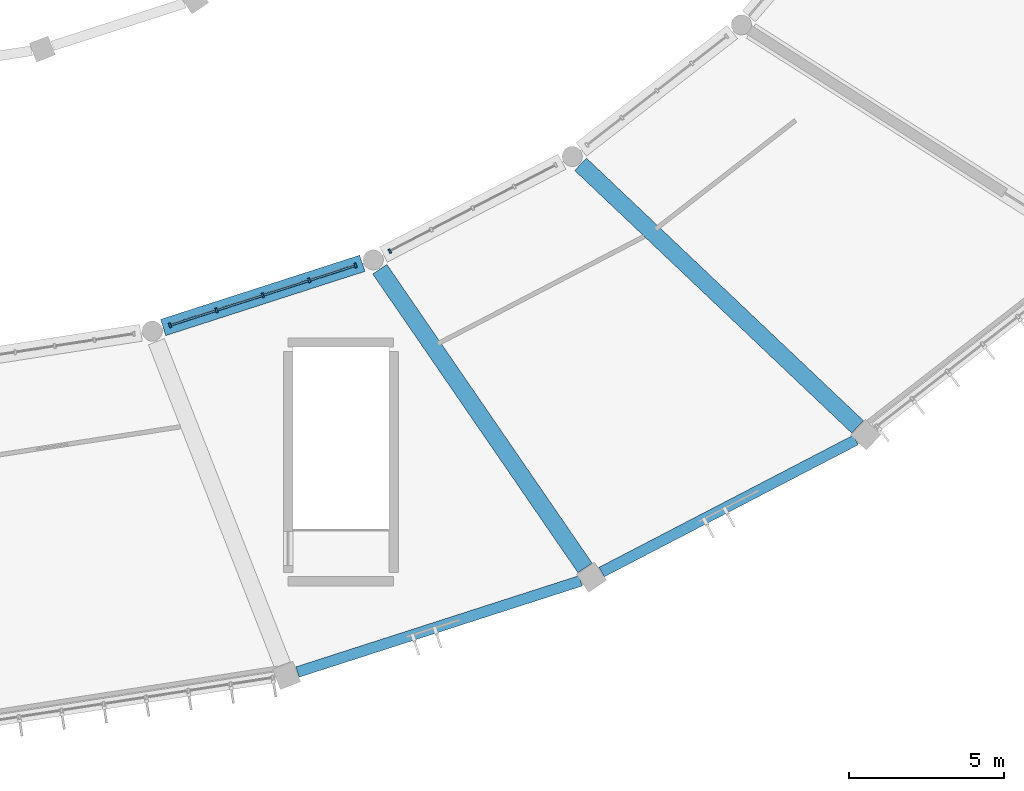
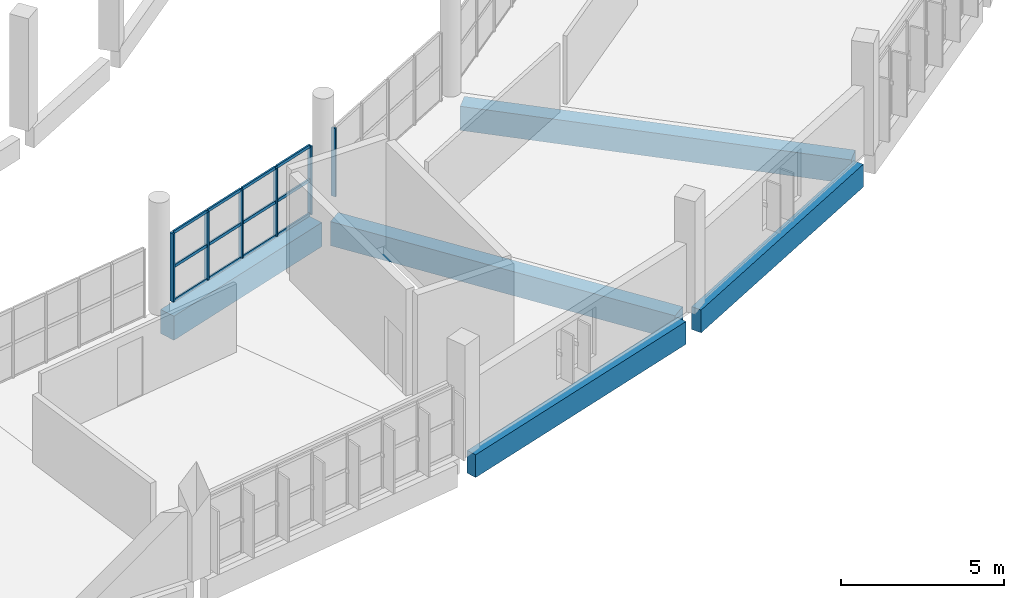
# One storey, part 16 of 142: 18 members, 5 beams, 2 elements without a shape of their own.
"""IFC4 building model written with IfcOpenShell, lengths in metres."""

from ifc_helpers import new_model, si_unit, direction, frame, origin, origin_2d, place, context, subcontext, project, spatial, rectangle, extrude, material, layer, layer_set, material_profile, profile_set, type_object, element, aggregate, save


model = new_model("IFC4")

# Units and contexts
model_context = context("Model", 3, precision=1e-05, world=origin(), true_north=direction((0.0, 1.0)))
body_context = subcontext(model_context, "Body", "Model", "MODEL_VIEW")
ifc_project = project(units=[si_unit("LENGTHUNIT", "METRE"), si_unit("AREAUNIT", "SQUARE_METRE"), si_unit("VOLUMEUNIT", "CUBIC_METRE"), si_unit("PLANEANGLEUNIT", "RADIAN"), si_unit("MASSUNIT", "GRAM", prefix="KILO")], contexts=[model_context])

# Site, building, storey
site_placement = place(None, origin())
site = spatial("IfcSite", under=ifc_project, at=site_placement, CompositionType="ELEMENT")
building_placement = place(site_placement, origin())
building = spatial("IfcBuilding", under=site, at=building_placement, Name="Corvandel Quay Wholesale Market", CompositionType="ELEMENT")
storey_placement = place(building_placement, frame((0.0, 0.0, 10.800048828125)))
storey = spatial("IfcBuildingStorey", under=building, at=storey_placement, Name="L02", CompositionType="ELEMENT", Elevation=10.800048828125)

# Curtain wall, members
ifc_material_1 = material(Name="Bronze anodised aluminium and low-E insulated glazing", Category="aluminium")
ifc_layer_1 = layer(ifc_material_1, 0.197998046875)
ifc_layer_set_1 = layer_set([ifc_layer_1], Name="Bronze anodised aluminium and low-E insulated glazing")
curtain_wall_type_1 = type_object("IfcCurtainWallType", Name="Stick Curtain Wall System CW19 H4710", PredefinedType="NOTDEFINED", material=ifc_layer_set_1)
curtain_wall_1_placement = place(storey_placement, origin())
curtain_wall_1 = element("IfcCurtainWall", 1, at=curtain_wall_1_placement, inside=storey, type_object=curtain_wall_type_1, Name="Curtain Wall CW-0077", PredefinedType="NOTDEFINED")
ifc_material_2 = material(Name="Anodised aluminium 6063-T6", Category="aluminium")
ifc_material_profile_1 = material_profile(ifc_material_2, rectangle(XDim=0.06494140625, YDim=0.14990234375, at=origin_2d()), Name="ALU-MUL-65x150")
ifc_profile_set_1 = profile_set([ifc_material_profile_1], Name="Anodised aluminium 6063-T6")
member_type_1 = type_object("IfcMemberType", Name="Curtain Wall Mullion ML02 65x150", PredefinedType="MULLION", material=ifc_profile_set_1)
member_1_placement = place(storey_placement, frame((125.9912109375, 12.904052734375, 0.0), z_axis=(0.0, 0.0, 1.0), x_axis=(0.951808747363, 0.306692204733, 0.0)))
member_1 = element("IfcMember", 2, at=member_1_placement, type_object=member_type_1, Name="Mullion CW-0077-M00", PredefinedType="MULLION", context=body_context, shape_type="SweptSolid", body=[
    extrude(rectangle(XDim=0.06494140625, YDim=0.14990234375, at=origin_2d()), origin(), (0.0, 0.0, 1.0), 2.550048828125),
])
member_2_placement = place(storey_placement, frame((127.486572265625, 13.385986328125, 0.0), z_axis=(0.0, 0.0, 1.0), x_axis=(0.951808747363, 0.306692204733, 0.0)))
member_2 = element("IfcMember", 3, at=member_2_placement, type_object=member_type_1, Name="Mullion CW-0077-M01", PredefinedType="MULLION", context=body_context, shape_type="SweptSolid", body=[
    extrude(rectangle(XDim=0.06494140625, YDim=0.14990234375, at=origin_2d()), origin(), (0.0, 0.0, 1.0), 2.550048828125),
])
member_3_placement = place(storey_placement, frame((128.98193359375, 13.867919921875, 0.0), z_axis=(0.0, 0.0, 1.0), x_axis=(0.951808747363, 0.306692204733, 0.0)))
member_3 = element("IfcMember", 4, at=member_3_placement, type_object=member_type_1, Name="Mullion CW-0077-M02", PredefinedType="MULLION", context=body_context, shape_type="SweptSolid", body=[
    extrude(rectangle(XDim=0.06494140625, YDim=0.14990234375, at=origin_2d()), origin(), (0.0, 0.0, 1.0), 2.550048828125),
])
member_4_placement = place(storey_placement, frame((130.4775390625, 14.35009765625, 0.0), z_axis=(0.0, 0.0, 1.0), x_axis=(0.951808747363, 0.306692204733, 0.0)))
member_4 = element("IfcMember", 5, at=member_4_placement, type_object=member_type_1, Name="Mullion CW-0077-M03", PredefinedType="MULLION", context=body_context, shape_type="SweptSolid", body=[
    extrude(rectangle(XDim=0.06494140625, YDim=0.14990234375, at=origin_2d()), origin(), (0.0, 0.0, 1.0), 2.550048828125),
])
member_5_placement = place(storey_placement, frame((131.972900390625, 14.83203125, 0.0), z_axis=(0.0, 0.0, 1.0), x_axis=(0.951808747363, 0.306692204733, 0.0)))
member_5 = element("IfcMember", 6, at=member_5_placement, type_object=member_type_1, Name="Mullion CW-0077-M04", PredefinedType="MULLION", context=body_context, shape_type="SweptSolid", body=[
    extrude(rectangle(XDim=0.06494140625, YDim=0.14990234375, at=origin_2d()), origin(), (0.0, 0.0, 1.0), 2.550048828125),
])

# Curtain wall, member
ifc_layer_2 = layer(ifc_material_1, 0.14990234375)
ifc_layer_set_2 = layer_set([ifc_layer_2], Name="Bronze anodised aluminium and low-E insulated glazing")
curtain_wall_type_2 = type_object("IfcCurtainWallType", Name="Stick Curtain Wall System CW20 H4800", PredefinedType="NOTDEFINED", material=ifc_layer_set_2)
curtain_wall_2_placement = place(storey_placement, origin())
curtain_wall_2 = element("IfcCurtainWall", 7, at=curtain_wall_2_placement, inside=storey, type_object=curtain_wall_type_2, Name="Curtain Wall CW-0080", PredefinedType="NOTDEFINED")
member_6_placement = place(storey_placement, frame((133.076416015625, 15.29248046875, 0.0), z_axis=(0.0, 0.0, 1.0), x_axis=(0.887332978338, 0.461129250378, 0.0)))
member_6 = element("IfcMember", 8, at=member_6_placement, type_object=member_type_1, Name="Mullion CW-0080-M00", PredefinedType="MULLION", context=body_context, shape_type="SweptSolid", body=[
    extrude(rectangle(XDim=0.06494140625, YDim=0.14990234375, at=origin_2d()), origin(), (0.0, 0.0, 1.0), 2.550048828125),
])
aggregate(curtain_wall_2, [member_6])

# Member
ifc_material_profile_2 = material_profile(ifc_material_2, rectangle(XDim=0.06005859375, YDim=0.110107421875, at=origin_2d()), Name="ALU-TRN-60x110")
ifc_profile_set_2 = profile_set([ifc_material_profile_2], Name="Anodised aluminium 6063-T6")
member_type_2 = type_object("IfcMemberType", Name="Curtain Wall Transom TR02 60x110", PredefinedType="USERDEFINED", material=ifc_profile_set_2)
member_7_placement = place(storey_placement, frame((126.02197265625, 12.9140625, 0.0), z_axis=(0.951812449712, 0.306680714383, 0.0), x_axis=(-0.306680714383, 0.951812449712, 0.0)))
member_7 = element("IfcMember", 9, at=member_7_placement, type_object=member_type_2, Name="Transom CW-0077-T00-0", ObjectType="TRANSOM", PredefinedType="USERDEFINED", context=body_context, shape_type="SweptSolid", body=[
    extrude(rectangle(XDim=0.06005859375, YDim=0.110107421875, at=origin_2d()), origin(), (0.0, 0.0, 1.0), 1.506103515625),
])

member_8_placement = place(storey_placement, frame((126.02197265625, 12.9140625, 1.27490234375), z_axis=(0.951812449712, 0.306680714383, 0.0), x_axis=(-0.306680714383, 0.951812449712, 0.0)))
member_8 = element("IfcMember", 10, at=member_8_placement, type_object=member_type_2, Name="Transom CW-0077-T00-1", ObjectType="TRANSOM", PredefinedType="USERDEFINED", context=body_context, shape_type="SweptSolid", body=[
    extrude(rectangle(XDim=0.06005859375, YDim=0.110107421875, at=origin_2d()), origin(), (0.0, 0.0, 1.0), 1.506103515625),
])

member_9_placement = place(storey_placement, frame((126.02197265625, 12.9140625, 2.550048828125), z_axis=(0.951812449712, 0.306680714383, 0.0), x_axis=(-0.306680714383, 0.951812449712, 0.0)))
member_9 = element("IfcMember", 11, at=member_9_placement, type_object=member_type_2, Name="Transom CW-0077-T00-2", ObjectType="TRANSOM", PredefinedType="USERDEFINED", context=body_context, shape_type="SweptSolid", body=[
    extrude(rectangle(XDim=0.06005859375, YDim=0.110107421875, at=origin_2d()), origin(), (0.0, 0.0, 1.0), 1.506103515625),
])

member_10_placement = place(storey_placement, frame((127.517578125, 13.39599609375, 0.0), z_axis=(0.951812449712, 0.306680714383, 0.0), x_axis=(-0.306680714383, 0.951812449712, 0.0)))
member_10 = element("IfcMember", 12, at=member_10_placement, type_object=member_type_2, Name="Transom CW-0077-T01-0", ObjectType="TRANSOM", PredefinedType="USERDEFINED", context=body_context, shape_type="SweptSolid", body=[
    extrude(rectangle(XDim=0.06005859375, YDim=0.110107421875, at=origin_2d()), origin(), (0.0, 0.0, 1.0), 1.506103515625),
])

member_11_placement = place(storey_placement, frame((127.517578125, 13.39599609375, 1.27490234375), z_axis=(0.951812449712, 0.306680714383, 0.0), x_axis=(-0.306680714383, 0.951812449712, 0.0)))
member_11 = element("IfcMember", 13, at=member_11_placement, type_object=member_type_2, Name="Transom CW-0077-T01-1", ObjectType="TRANSOM", PredefinedType="USERDEFINED", context=body_context, shape_type="SweptSolid", body=[
    extrude(rectangle(XDim=0.06005859375, YDim=0.110107421875, at=origin_2d()), origin(), (0.0, 0.0, 1.0), 1.506103515625),
])

member_12_placement = place(storey_placement, frame((127.517578125, 13.39599609375, 2.550048828125), z_axis=(0.951812449712, 0.306680714383, 0.0), x_axis=(-0.306680714383, 0.951812449712, 0.0)))
member_12 = element("IfcMember", 14, at=member_12_placement, type_object=member_type_2, Name="Transom CW-0077-T01-2", ObjectType="TRANSOM", PredefinedType="USERDEFINED", context=body_context, shape_type="SweptSolid", body=[
    extrude(rectangle(XDim=0.06005859375, YDim=0.110107421875, at=origin_2d()), origin(), (0.0, 0.0, 1.0), 1.506103515625),
])

member_13_placement = place(storey_placement, frame((129.012939453125, 13.8779296875, 0.0), z_axis=(0.951765125265, 0.306827551452, 0.0), x_axis=(-0.306827551452, 0.951765125265, 0.0)))
member_13 = element("IfcMember", 15, at=member_13_placement, type_object=member_type_2, Name="Transom CW-0077-T02-0", ObjectType="TRANSOM", PredefinedType="USERDEFINED", context=body_context, shape_type="SweptSolid", body=[
    extrude(rectangle(XDim=0.06005859375, YDim=0.110107421875, at=origin_2d()), origin(), (0.0, 0.0, 1.0), 1.50634765625),
])

member_14_placement = place(storey_placement, frame((129.012939453125, 13.8779296875, 1.27490234375), z_axis=(0.951765125265, 0.306827551452, 0.0), x_axis=(-0.306827551452, 0.951765125265, 0.0)))
member_14 = element("IfcMember", 16, at=member_14_placement, type_object=member_type_2, Name="Transom CW-0077-T02-1", ObjectType="TRANSOM", PredefinedType="USERDEFINED", context=body_context, shape_type="SweptSolid", body=[
    extrude(rectangle(XDim=0.06005859375, YDim=0.110107421875, at=origin_2d()), origin(), (0.0, 0.0, 1.0), 1.50634765625),
])

member_15_placement = place(storey_placement, frame((129.012939453125, 13.8779296875, 2.550048828125), z_axis=(0.951765125265, 0.306827551452, 0.0), x_axis=(-0.306827551452, 0.951765125265, 0.0)))
member_15 = element("IfcMember", 17, at=member_15_placement, type_object=member_type_2, Name="Transom CW-0077-T02-2", ObjectType="TRANSOM", PredefinedType="USERDEFINED", context=body_context, shape_type="SweptSolid", body=[
    extrude(rectangle(XDim=0.06005859375, YDim=0.110107421875, at=origin_2d()), origin(), (0.0, 0.0, 1.0), 1.50634765625),
])

member_16_placement = place(storey_placement, frame((130.50830078125, 14.360107421875, 0.0), z_axis=(0.951812449712, 0.306680714383, 0.0), x_axis=(-0.306680714383, 0.951812449712, 0.0)))
member_16 = element("IfcMember", 18, at=member_16_placement, type_object=member_type_2, Name="Transom CW-0077-T03-0", ObjectType="TRANSOM", PredefinedType="USERDEFINED", context=body_context, shape_type="SweptSolid", body=[
    extrude(rectangle(XDim=0.06005859375, YDim=0.110107421875, at=origin_2d()), origin(), (0.0, 0.0, 1.0), 1.506103515625),
])

member_17_placement = place(storey_placement, frame((130.50830078125, 14.360107421875, 1.27490234375), z_axis=(0.951812449712, 0.306680714383, 0.0), x_axis=(-0.306680714383, 0.951812449712, 0.0)))
member_17 = element("IfcMember", 19, at=member_17_placement, type_object=member_type_2, Name="Transom CW-0077-T03-1", ObjectType="TRANSOM", PredefinedType="USERDEFINED", context=body_context, shape_type="SweptSolid", body=[
    extrude(rectangle(XDim=0.06005859375, YDim=0.110107421875, at=origin_2d()), origin(), (0.0, 0.0, 1.0), 1.506103515625),
])

member_18_placement = place(storey_placement, frame((130.50830078125, 14.360107421875, 2.550048828125), z_axis=(0.951812449712, 0.306680714383, 0.0), x_axis=(-0.306680714383, 0.951812449712, 0.0)))
member_18 = element("IfcMember", 20, at=member_18_placement, type_object=member_type_2, Name="Transom CW-0077-T03-2", ObjectType="TRANSOM", PredefinedType="USERDEFINED", context=body_context, shape_type="SweptSolid", body=[
    extrude(rectangle(XDim=0.06005859375, YDim=0.110107421875, at=origin_2d()), origin(), (0.0, 0.0, 1.0), 1.506103515625),
])

aggregate(curtain_wall_1, [member_1, member_2, member_3, member_4, member_5, member_7, member_8, member_9, member_10, member_11, member_12, member_13, member_14, member_15, member_16, member_17, member_18])

# Beams
ifc_material_3 = material(Name="Precast concrete C45/55", Category="concrete")
ifc_material_profile_3 = material_profile(ifc_material_3, rectangle(XDim=0.35009765625, YDim=0.85009765625, at=origin_2d()), Name="PC-SPN-350x850")
ifc_profile_set_3 = profile_set([ifc_material_profile_3], Name="Precast concrete C45/55")
beam_type_1 = type_object("IfcBeamType", Name="Perimeter Precast Spandrel SP01 350x850", PredefinedType="SPANDREL", material=ifc_profile_set_3)
beam_1_placement = place(storey_placement, frame((130.103271484375, 1.7275390625, -0.7451171875), z_axis=(0.951833850624, 0.306614286696, 0.0), x_axis=(-0.306614286696, 0.951833850624, 0.0)))
element("IfcBeam", 21, at=beam_1_placement, inside=storey, type_object=beam_type_1, Name="Beam BM-0315", PredefinedType="SPANDREL", context=body_context, shape_type="SweptSolid", body=[
    extrude(rectangle(XDim=0.35009765625, YDim=0.85009765625, at=origin_2d()), origin(), (0.0, 0.0, 1.0), 9.585205078125),
])
beam_2_placement = place(storey_placement, frame((139.9072265625, 4.95068359375, -0.7451171875), z_axis=(0.887343699642, 0.461108619205, 0.0), x_axis=(-0.461108619205, 0.887343699642, 0.0)))
element("IfcBeam", 22, at=beam_2_placement, inside=storey, type_object=beam_type_1, Name="Beam BM-0327", PredefinedType="SPANDREL", context=body_context, shape_type="SweptSolid", body=[
    extrude(rectangle(XDim=0.35009765625, YDim=0.85009765625, at=origin_2d()), origin(), (0.0, 0.0, 1.0), 9.22705078125),
])
ifc_material_profile_4 = material_profile(ifc_material_3, rectangle(XDim=0.550048828125, YDim=0.89990234375, at=origin_2d()), Name="PC-GIR-550x900")
ifc_profile_set_4 = profile_set([ifc_material_profile_4], Name="Precast concrete C45/55")
beam_type_2 = type_object("IfcBeamType", Name="Produce Hall Radial Girder G03 550x900", PredefinedType="USERDEFINED", material=ifc_profile_set_4)
beam_3_placement = place(storey_placement, frame((125.772216796875, 12.83349609375, -0.77001953125), z_axis=(0.951785347661, 0.306764815418, 0.0), x_axis=(-0.306764815418, 0.951785347661, 0.0)))
element("IfcBeam", 23, at=beam_3_placement, inside=storey, type_object=beam_type_2, Name="Beam BM-0316", ObjectType="GIRDER", PredefinedType="USERDEFINED", context=body_context, shape_type="SweptSolid", body=[
    extrude(rectangle(XDim=0.550048828125, YDim=0.89990234375, at=origin_2d()), origin(), (0.0, 0.0, 1.0), 6.744873046875),
])
beam_4_placement = place(storey_placement, frame((139.369384765625, 5.0849609375, -0.77001953125), z_axis=(-0.566394866966, 0.824134002863, 0.0), x_axis=(-0.824134002863, -0.566394866966, 0.0)))
element("IfcBeam", 24, at=beam_4_placement, inside=storey, type_object=beam_type_2, Name="Beam BM-0330", ObjectType="GIRDER", PredefinedType="USERDEFINED", context=body_context, shape_type="SweptSolid", body=[
    extrude(rectangle(XDim=0.550048828125, YDim=0.89990234375, at=origin_2d()), origin(), (0.0, 0.0, 1.0), 11.680419921875),
])
beam_5_placement = place(storey_placement, frame((148.154541015625, 9.630615234375, -0.77001953125), z_axis=(-0.725795178722, 0.687910865261, 0.0), x_axis=(-0.687910865261, -0.725795178722, 0.0)))
element("IfcBeam", 25, at=beam_5_placement, inside=storey, type_object=beam_type_2, Name="Beam BM-0342", ObjectType="GIRDER", PredefinedType="USERDEFINED", context=body_context, shape_type="SweptSolid", body=[
    extrude(rectangle(XDim=0.550048828125, YDim=0.89990234375, at=origin_2d()), origin(), (0.0, 0.0, 1.0), 12.30224609375),
])

save(model, "model.ifc")
